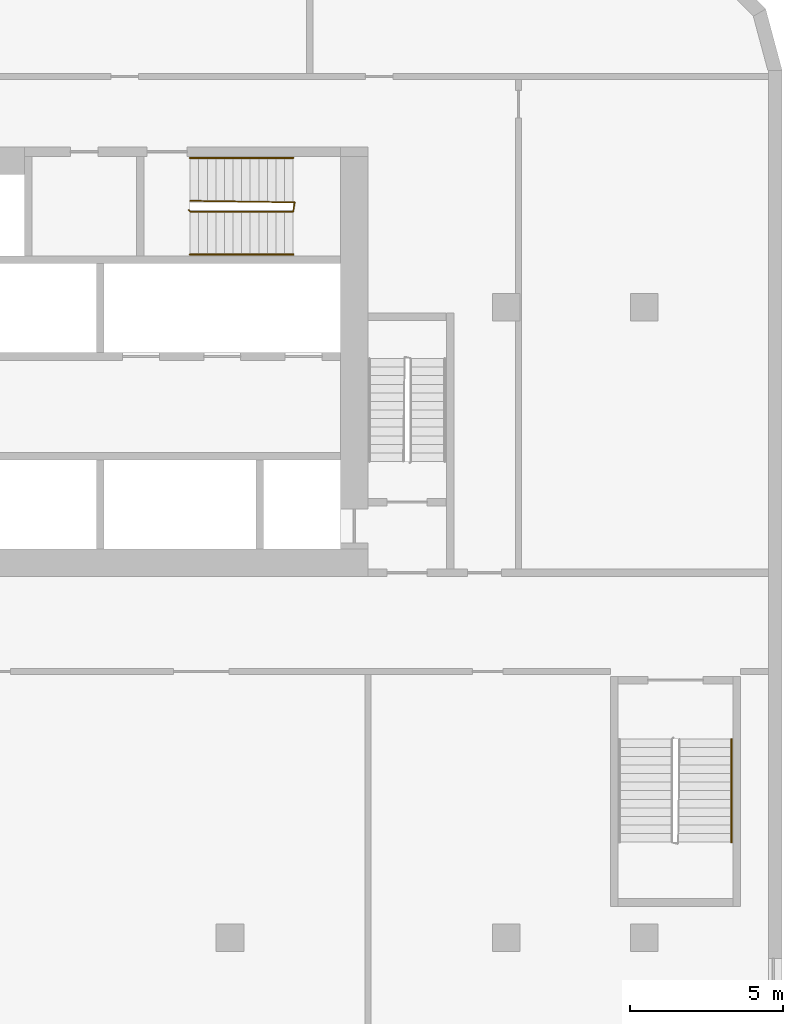
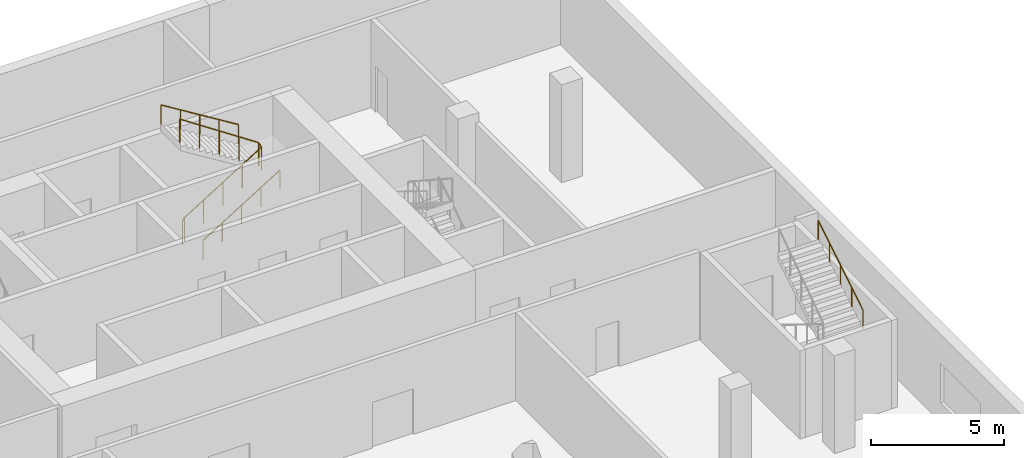
# One storey, part 19 of 19: 4 railings.
"""IFC4 building model written with IfcOpenShell, lengths in metres."""

from ifc_helpers import new_model, si_unit, direction, frame, origin, origin_2d, place, context, subcontext, project, spatial, circle, extrude, material, type_object, element, save


model = new_model("IFC4")

# Units and contexts
model_context = context("Model", 3, precision=1e-05, world=origin(), true_north=direction((0.0, 1.0)))
body_context = subcontext(model_context, "Body", "Model", "MODEL_VIEW")
ifc_project = project(units=[si_unit("LENGTHUNIT", "METRE"), si_unit("AREAUNIT", "SQUARE_METRE"), si_unit("VOLUMEUNIT", "CUBIC_METRE"), si_unit("PLANEANGLEUNIT", "RADIAN"), si_unit("MASSUNIT", "GRAM", prefix="KILO")], contexts=[model_context])

# Site, building, storey
site_placement = place(None, origin())
site = spatial("IfcSite", under=ifc_project, at=site_placement, CompositionType="ELEMENT")
building_placement = place(site_placement, origin())
building = spatial("IfcBuilding", under=site, at=building_placement, Name="Kajstack Hotel Tower", CompositionType="ELEMENT")
storey_placement = place(building_placement, frame((0.0, 0.0, 33.5)))
storey = spatial("IfcBuildingStorey", under=building, at=storey_placement, Name="L05", CompositionType="ELEMENT", Elevation=33.5)

# Railings
ifc_material = material(Name="Steel S355J2", Category="steel")
railing_type_1 = type_object("IfcRailingType", Name="Stair guard 1100", PredefinedType="GUARDRAIL", material=ifc_material)
railing_1_placement = place(storey_placement, frame((25.64990234375, 13.449951171875, 0.0)))
element("IfcRailing", 1, at=railing_1_placement, inside=storey, type_object=railing_type_1, Name="L05 E3 stair guard 1", PredefinedType="GUARDRAIL", context=body_context, shape_type="SweptSolid", body=[
    extrude(circle(Radius=0.02392578125, at=origin_2d()), frame((0.0, 0.0, 1.076171875), z_axis=(0.267629722418, -0.267629722418, 0.925607186314), x_axis=(0.707106781187, 0.707106781187, 0.0)), (0.0, 0.0, 1.0), 0.18701171875),
    extrude(circle(Radius=0.02392578125, at=origin_2d()), frame((0.050048828125, -0.050048828125, 1.2490234375), z_axis=(0.850623216509, 0.0, 0.525775754039), x_axis=(0.0, 1.0, 0.0)), (0.0, 0.0, 1.0), 3.9501953125),
    extrude(circle(Radius=0.02392578125, at=origin_2d()), frame((3.41015625, -0.050048828125, 3.326171875), z_axis=(0.164529134168, 0.986372223864, 0.0), x_axis=(-0.986372223864, 0.164529134168, 0.0)), (0.0, 0.0, 1.0), 0.30419921875),
    extrude(circle(Radius=0.02392578125, at=origin_2d()), frame((3.460205078125, 0.25, 3.326171875), z_axis=(-0.834625896233, 0.01224930618, 0.5506810037), x_axis=(-0.014674822837, -0.99989231899, 0.0)), (0.0, 0.0, 1.0), 4.0859375),
    extrude(circle(Radius=0.02099609375, at=origin_2d()), origin(), (0.0, 0.0, 1.0), 1.052001953125),
    extrude(circle(Radius=0.02099609375, at=origin_2d()), frame((0.050048828125, -0.050048828125, 0.173095703125)), (0.0, 0.0, 1.0), 1.052001953125),
    extrude(circle(Radius=0.02099609375, at=origin_2d()), frame((0.89013671875, -0.050048828125, 0.6923828125)), (0.0, 0.0, 1.0), 1.052001953125),
    extrude(circle(Radius=0.02099609375, at=origin_2d()), frame((1.72998046875, -0.050048828125, 1.21142578125)), (0.0, 0.0, 1.0), 1.052001953125),
    extrude(circle(Radius=0.02099609375, at=origin_2d()), frame((2.570068359375, -0.050048828125, 1.730712890625)), (0.0, 0.0, 1.0), 1.052001953125),
    extrude(circle(Radius=0.02099609375, at=origin_2d()), frame((3.41015625, -0.050048828125, 2.25)), (0.0, 0.0, 1.0), 1.052001953125),
    extrude(circle(Radius=0.02099609375, at=origin_2d()), frame((3.460205078125, 0.25, 2.25)), (0.0, 0.0, 1.0), 1.052001953125),
    extrude(circle(Radius=0.02099609375, at=origin_2d()), frame((2.607666015625, 0.262451171875, 2.8125)), (0.0, 0.0, 1.0), 1.052001953125),
    extrude(circle(Radius=0.02099609375, at=origin_2d()), frame((1.755126953125, 0.27490234375, 3.375)), (0.0, 0.0, 1.0), 1.052001953125),
    extrude(circle(Radius=0.02099609375, at=origin_2d()), frame((0.902587890625, 0.28759765625, 3.9375)), (0.0, 0.0, 1.0), 1.052001953125),
    extrude(circle(Radius=0.02099609375, at=origin_2d()), frame((0.050048828125, 0.300048828125, 4.5)), (0.0, 0.0, 1.0), 1.052001953125),
])
railing_type_2 = type_object("IfcRailingType", Name="Stair handrail 900", PredefinedType="HANDRAIL", material=ifc_material)
railing_2_placement = place(storey_placement, frame((25.699951171875, 12.0, 0.173095703125)))
element("IfcRailing", 2, at=railing_2_placement, inside=storey, type_object=railing_type_2, Name="L05 E3 stair handrail 1", PredefinedType="HANDRAIL", context=body_context, shape_type="SweptSolid", body=[
    extrude(circle(Radius=0.02392578125, at=origin_2d()), frame((0.0, 0.0, 0.8759765625), z_axis=(0.850623216509, 0.0, 0.525775754039), x_axis=(0.0, 1.0, 0.0)), (0.0, 0.0, 1.0), 3.9501953125),
    extrude(circle(Radius=0.02099609375, at=origin_2d()), origin(), (0.0, 0.0, 1.0), 0.851806640625),
    extrude(circle(Radius=0.02099609375, at=origin_2d()), frame((0.840087890625, 0.0, 0.519287109375)), (0.0, 0.0, 1.0), 0.851806640625),
    extrude(circle(Radius=0.02099609375, at=origin_2d()), frame((1.68017578125, 0.0, 1.03857421875)), (0.0, 0.0, 1.0), 0.851806640625),
    extrude(circle(Radius=0.02099609375, at=origin_2d()), frame((2.52001953125, 0.0, 1.5576171875)), (0.0, 0.0, 1.0), 0.851806640625),
    extrude(circle(Radius=0.02099609375, at=origin_2d()), frame((3.360107421875, 0.0, 2.076904296875)), (0.0, 0.0, 1.0), 0.851806640625),
])
railing_3_placement = place(storey_placement, frame((29.06005859375, 15.14990234375, 2.423095703125)))
element("IfcRailing", 3, at=railing_3_placement, inside=storey, type_object=railing_type_2, Name="L05 E3 stair handrail 2", PredefinedType="HANDRAIL", context=body_context, shape_type="SweptSolid", body=[
    extrude(circle(Radius=0.02392578125, at=origin_2d()), frame((0.0, 0.0, 0.8759765625), z_axis=(-0.850623216509, 0.0, 0.525775754039), x_axis=(0.0, -1.0, 0.0)), (0.0, 0.0, 1.0), 3.9501953125),
    extrude(circle(Radius=0.02099609375, at=origin_2d()), origin(), (0.0, 0.0, 1.0), 0.851806640625),
    extrude(circle(Radius=0.02099609375, at=origin_2d()), frame((-0.840087890625, 0.0, 0.519287109375)), (0.0, 0.0, 1.0), 0.851806640625),
    extrude(circle(Radius=0.02099609375, at=origin_2d()), frame((-1.68017578125, 0.0, 1.03857421875)), (0.0, 0.0, 1.0), 0.851806640625),
    extrude(circle(Radius=0.02099609375, at=origin_2d()), frame((-2.52001953125, 0.0, 1.5576171875)), (0.0, 0.0, 1.0), 0.851806640625),
    extrude(circle(Radius=0.02099609375, at=origin_2d()), frame((-3.360107421875, 0.0, 2.076904296875)), (0.0, 0.0, 1.0), 0.851806640625),
])
railing_4_placement = place(storey_placement, frame((43.35009765625, -7.159912109375, 2.423095703125)))
element("IfcRailing", 4, at=railing_4_placement, inside=storey, type_object=railing_type_2, Name="L05 P2 stair handrail 2", PredefinedType="HANDRAIL", context=body_context, shape_type="SweptSolid", body=[
    extrude(circle(Radius=0.02392578125, at=origin_2d()), frame((0.0, 0.0, 0.8759765625), z_axis=(0.0, 0.850606129759, 0.525803396734), x_axis=(-1.0, 0.0, 0.0)), (0.0, 0.0, 1.0), 3.949951171875),
    extrude(circle(Radius=0.02099609375, at=origin_2d()), origin(), (0.0, 0.0, 1.0), 0.851806640625),
    extrude(circle(Radius=0.02099609375, at=origin_2d()), frame((0.0, 0.83984375, 0.519287109375)), (0.0, 0.0, 1.0), 0.851806640625),
    extrude(circle(Radius=0.02099609375, at=origin_2d()), frame((0.0, 1.679931640625, 1.03857421875)), (0.0, 0.0, 1.0), 0.851806640625),
    extrude(circle(Radius=0.02099609375, at=origin_2d()), frame((0.0, 2.52001953125, 1.5576171875)), (0.0, 0.0, 1.0), 0.851806640625),
    extrude(circle(Radius=0.02099609375, at=origin_2d()), frame((0.0, 3.35986328125, 2.076904296875)), (0.0, 0.0, 1.0), 0.851806640625),
])

save(model, "model.ifc")
